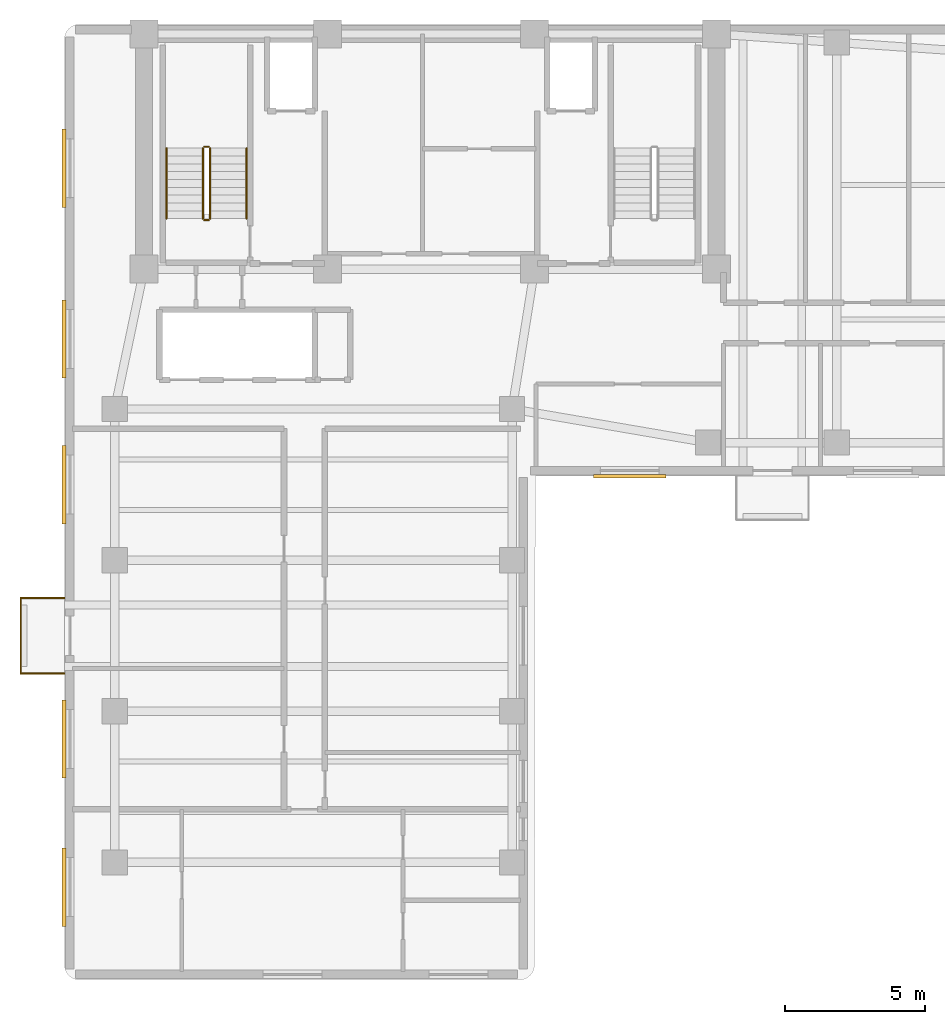
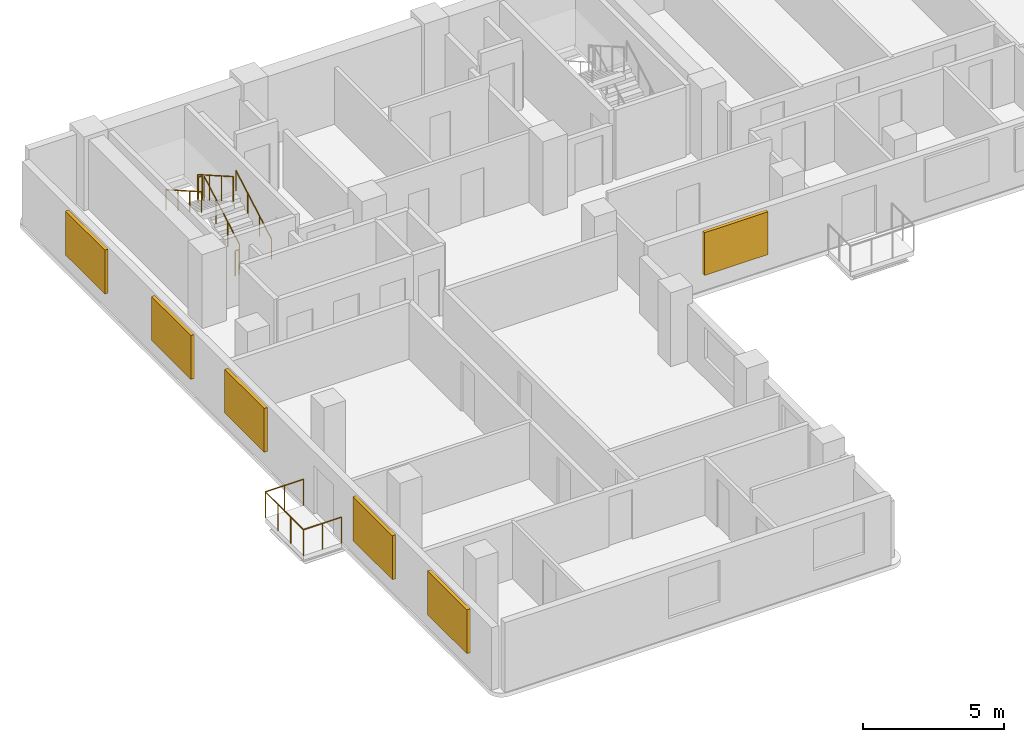
# One storey, part 6 of 7: 9 railings, 6 shading devices.
"""IFC4 building model written with IfcOpenShell, lengths in metres."""

from ifc_helpers import new_model, si_unit, direction, frame, origin, origin_2d, place, context, subcontext, project, spatial, rectangle, circle, extrude, material, layer, layer_set, type_object, element, save


model = new_model("IFC4")

# Units and contexts
model_context = context("Model", 3, precision=1e-05, world=origin(), true_north=direction((0.0, 1.0)))
body_context = subcontext(model_context, "Body", "Model", "MODEL_VIEW")
ifc_project = project(units=[si_unit("LENGTHUNIT", "METRE"), si_unit("AREAUNIT", "SQUARE_METRE"), si_unit("VOLUMEUNIT", "CUBIC_METRE"), si_unit("PLANEANGLEUNIT", "RADIAN"), si_unit("MASSUNIT", "GRAM", prefix="KILO")], contexts=[model_context])

# Site, building, storey
site_placement = place(None, origin())
site = spatial("IfcSite", under=ifc_project, at=site_placement, CompositionType="ELEMENT")
building_placement = place(site_placement, origin())
building = spatial("IfcBuilding", under=site, at=building_placement, Name="Kuzgunbayir Cultural Tower", CompositionType="ELEMENT")
storey_placement = place(building_placement, frame((0.0, 0.0, 172.800048828125)))
storey = spatial("IfcBuildingStorey", under=building, at=storey_placement, Name="L50", CompositionType="ELEMENT", Elevation=172.800048828125)

# Railings
ifc_material_1 = material(Name="Laminated Glass and Stainless Steel", Category="steel")
ifc_layer_1 = layer(ifc_material_1, 0.080078125)
ifc_layer_set_1 = layer_set([ifc_layer_1], Name="Laminated Glass and Stainless Steel")
railing_type_1 = type_object("IfcRailingType", Name="RLG-BAL-115", PredefinedType="BALUSTRADE", material=ifc_layer_set_1)
railing_1_placement = place(storey_placement, frame((3.60009765625, 19.35009765625, 0.0)))
element("IfcRailing", 1, at=railing_1_placement, inside=storey, type_object=railing_type_1, Name="L50 Balcony Guard BAL-L50-WA2 Segment 1", PredefinedType="BALUSTRADE", context=body_context, shape_type="SweptSolid", body=[
    extrude(circle(Radius=0.02392578125, at=origin_2d()), frame((0.0, 0.0, 1.1259765625), z_axis=(-1.0, 0.0, 0.0), x_axis=(0.0, -1.0, 0.0)), (0.0, 0.0, 1.0), 1.56005859375),
    extrude(circle(Radius=0.02099609375, at=origin_2d()), origin(), (0.0, 0.0, 1.0), 1.101806640625),
    extrude(circle(Radius=0.02099609375, at=origin_2d()), frame((-0.780029296875, 0.0, 0.0)), (0.0, 0.0, 1.0), 1.101806640625),
    extrude(circle(Radius=0.02099609375, at=origin_2d()), frame((-1.56005859375, 0.0, 0.0)), (0.0, 0.0, 1.0), 1.101806640625),
])
railing_2_placement = place(storey_placement, frame((2.0400390625, 19.35009765625, 0.0)))
element("IfcRailing", 2, at=railing_2_placement, inside=storey, type_object=railing_type_1, Name="L50 Balcony Guard BAL-L50-WA2 Segment 2", PredefinedType="BALUSTRADE", context=body_context, shape_type="SweptSolid", body=[
    extrude(circle(Radius=0.02392578125, at=origin_2d()), frame((0.0, 0.0, 1.1259765625), z_axis=(0.0, 1.0, 0.0), x_axis=(-1.0, 0.0, 0.0)), (0.0, 0.0, 1.0), 2.699951171875),
    extrude(circle(Radius=0.02099609375, at=origin_2d()), origin(), (0.0, 0.0, 1.0), 1.101806640625),
    extrude(circle(Radius=0.02099609375, at=origin_2d()), frame((0.0, 0.89990234375, 0.0)), (0.0, 0.0, 1.0), 1.101806640625),
    extrude(circle(Radius=0.02099609375, at=origin_2d()), frame((0.0, 1.800048828125, 0.0)), (0.0, 0.0, 1.0), 1.101806640625),
    extrude(circle(Radius=0.02099609375, at=origin_2d()), frame((0.0, 2.699951171875, 0.0)), (0.0, 0.0, 1.0), 1.101806640625),
])
railing_3_placement = place(storey_placement, frame((2.0400390625, 22.050048828125, 0.0)))
element("IfcRailing", 3, at=railing_3_placement, inside=storey, type_object=railing_type_1, Name="L50 Balcony Guard BAL-L50-WA2 Segment 3", PredefinedType="BALUSTRADE", context=body_context, shape_type="SweptSolid", body=[
    extrude(circle(Radius=0.02392578125, at=origin_2d()), frame((0.0, 0.0, 1.1259765625), z_axis=(1.0, 0.0, 0.0), x_axis=(0.0, 1.0, 0.0)), (0.0, 0.0, 1.0), 1.56005859375),
    extrude(circle(Radius=0.02099609375, at=origin_2d()), origin(), (0.0, 0.0, 1.0), 1.101806640625),
    extrude(circle(Radius=0.02099609375, at=origin_2d()), frame((0.780029296875, 0.0, 0.0)), (0.0, 0.0, 1.0), 1.101806640625),
    extrude(circle(Radius=0.02099609375, at=origin_2d()), frame((1.56005859375, 0.0, 0.0)), (0.0, 0.0, 1.0), 1.101806640625),
])
ifc_material_2 = material(Name="Brushed Stainless Steel", Category="steel")
ifc_layer_2 = layer(ifc_material_2, 0.050048828125)
ifc_layer_set_2 = layer_set([ifc_layer_2], Name="Brushed Stainless Steel")
railing_type_2 = type_object("IfcRailingType", Name="RLG-STAIR-HANDRAIL", PredefinedType="HANDRAIL", material=ifc_layer_set_2)
railing_4_placement = place(storey_placement, frame((10.110107421875, 35.60009765625, 0.159912109375)))
element("IfcRailing", 4, at=railing_4_placement, inside=storey, type_object=railing_type_2, Name="L50 ST-1 stair handrail 1", PredefinedType="HANDRAIL", context=body_context, shape_type="SweptSolid", body=[
    extrude(circle(Radius=0.02392578125, at=origin_2d()), frame((0.0, 0.0, 0.8759765625), z_axis=(0.0, 0.868253494771, 0.496120820787), x_axis=(-1.0, 0.0, 0.0)), (0.0, 0.0, 1.0), 2.90234375),
    extrude(circle(Radius=0.02099609375, at=origin_2d()), origin(), (0.0, 0.0, 1.0), 0.851806640625),
    extrude(circle(Radius=0.02099609375, at=origin_2d()), frame((0.0, 0.840087890625, 0.47998046875)), (0.0, 0.0, 1.0), 0.851806640625),
    extrude(circle(Radius=0.02099609375, at=origin_2d()), frame((0.0, 1.679931640625, 0.9599609375)), (0.0, 0.0, 1.0), 0.851806640625),
    extrude(circle(Radius=0.02099609375, at=origin_2d()), frame((0.0, 2.52001953125, 1.43994140625)), (0.0, 0.0, 1.0), 0.851806640625),
])
railing_5_placement = place(storey_placement, frame((7.25, 38.1201171875, 1.760009765625)))
element("IfcRailing", 5, at=railing_5_placement, inside=storey, type_object=railing_type_2, Name="L50 ST-1 stair handrail 2", PredefinedType="HANDRAIL", context=body_context, shape_type="SweptSolid", body=[
    extrude(circle(Radius=0.02392578125, at=origin_2d()), frame((0.0, 0.0, 0.8759765625), z_axis=(0.0, -0.868253494771, 0.496120820787), x_axis=(1.0, 0.0, 0.0)), (0.0, 0.0, 1.0), 2.90234375),
    extrude(circle(Radius=0.02099609375, at=origin_2d()), origin(), (0.0, 0.0, 1.0), 0.851806640625),
    extrude(circle(Radius=0.02099609375, at=origin_2d()), frame((0.0, -0.840087890625, 0.47998046875)), (0.0, 0.0, 1.0), 0.851806640625),
    extrude(circle(Radius=0.02099609375, at=origin_2d()), frame((0.0, -1.679931640625, 0.9599609375)), (0.0, 0.0, 1.0), 0.851806640625),
    extrude(circle(Radius=0.02099609375, at=origin_2d()), frame((0.0, -2.52001953125, 1.43994140625)), (0.0, 0.0, 1.0), 0.851806640625),
])
ifc_material_3 = material(Name="Painted Steel Balustrade", Category="steel")
ifc_layer_3 = layer(ifc_material_3, 0.06005859375)
ifc_layer_set_3 = layer_set([ifc_layer_3], Name="Painted Steel Balustrade")
railing_type_3 = type_object("IfcRailingType", Name="RLG-WELL-GUARD", PredefinedType="GUARDRAIL", material=ifc_layer_set_3)
railing_6_placement = place(storey_placement, frame((8.81005859375, 35.60009765625, 0.159912109375)))
element("IfcRailing", 6, at=railing_6_placement, inside=storey, type_object=railing_type_3, Name="L50 ST-1 stair guard 1", PredefinedType="GUARDRAIL", context=body_context, shape_type="SweptSolid", body=[
    extrude(circle(Radius=0.02392578125, at=origin_2d()), frame((0.0, 0.0, 1.076171875), z_axis=(0.0, 0.868253494771, 0.496120820787), x_axis=(-1.0, 0.0, 0.0)), (0.0, 0.0, 1.0), 2.90234375),
    extrude(circle(Radius=0.02099609375, at=origin_2d()), origin(), (0.0, 0.0, 1.0), 1.052001953125),
    extrude(circle(Radius=0.02099609375, at=origin_2d()), frame((0.0, 0.840087890625, 0.47998046875)), (0.0, 0.0, 1.0), 1.052001953125),
    extrude(circle(Radius=0.02099609375, at=origin_2d()), frame((0.0, 1.679931640625, 0.9599609375)), (0.0, 0.0, 1.0), 1.052001953125),
    extrude(circle(Radius=0.02099609375, at=origin_2d()), frame((0.0, 2.52001953125, 1.43994140625)), (0.0, 0.0, 1.0), 1.052001953125),
])
railing_7_placement = place(storey_placement, frame((8.760009765625, 38.169921875, 1.599853515625)))
element("IfcRailing", 7, at=railing_7_placement, inside=storey, type_object=railing_type_3, Name="L50 ST-1 stair guard 2", PredefinedType="GUARDRAIL", context=body_context, shape_type="SweptSolid", body=[
    extrude(circle(Radius=0.02392578125, at=origin_2d()), frame((0.0, 0.0, 1.076171875), z_axis=(-1.0, 0.0, 0.0), x_axis=(0.0, -1.0, 0.0)), (0.0, 0.0, 1.0), 0.159912109375),
    extrude(circle(Radius=0.02099609375, at=origin_2d()), origin(), (0.0, 0.0, 1.0), 1.052001953125),
    extrude(circle(Radius=0.02099609375, at=origin_2d()), frame((-0.159912109375, 0.0, 0.0)), (0.0, 0.0, 1.0), 1.052001953125),
])
railing_8_placement = place(storey_placement, frame((8.550048828125, 38.1201171875, 1.760009765625)))
element("IfcRailing", 8, at=railing_8_placement, inside=storey, type_object=railing_type_3, Name="L50 ST-1 stair guard 3", PredefinedType="GUARDRAIL", context=body_context, shape_type="SweptSolid", body=[
    extrude(circle(Radius=0.02392578125, at=origin_2d()), frame((0.0, 0.0, 1.076171875), z_axis=(0.0, -0.868253494771, 0.496120820787), x_axis=(1.0, 0.0, 0.0)), (0.0, 0.0, 1.0), 2.90234375),
    extrude(circle(Radius=0.02099609375, at=origin_2d()), origin(), (0.0, 0.0, 1.0), 1.052001953125),
    extrude(circle(Radius=0.02099609375, at=origin_2d()), frame((0.0, -0.840087890625, 0.47998046875)), (0.0, 0.0, 1.0), 1.052001953125),
    extrude(circle(Radius=0.02099609375, at=origin_2d()), frame((0.0, -1.679931640625, 0.9599609375)), (0.0, 0.0, 1.0), 1.052001953125),
    extrude(circle(Radius=0.02099609375, at=origin_2d()), frame((0.0, -2.52001953125, 1.43994140625)), (0.0, 0.0, 1.0), 1.052001953125),
])
railing_9_placement = place(storey_placement, frame((8.760009765625, 35.550048828125, 0.0)))
element("IfcRailing", 9, at=railing_9_placement, inside=storey, type_object=railing_type_3, Name="L50 ST-1 stair guard 4", PredefinedType="GUARDRAIL", context=body_context, shape_type="SweptSolid", body=[
    extrude(circle(Radius=0.02392578125, at=origin_2d()), frame((0.0, 0.0, 1.076171875), z_axis=(-1.0, 0.0, 0.0), x_axis=(0.0, -1.0, 0.0)), (0.0, 0.0, 1.0), 0.159912109375),
    extrude(circle(Radius=0.02099609375, at=origin_2d()), origin(), (0.0, 0.0, 1.0), 1.052001953125),
    extrude(circle(Radius=0.02099609375, at=origin_2d()), frame((-0.159912109375, 0.0, 0.0)), (0.0, 0.0, 1.0), 1.052001953125),
])

# Shading devices
ifc_material_4 = material(Name="Perforated Bronze-Anodised Aluminium", Category="aluminium")
shading_device_type = type_object("IfcShadingDeviceType", Name="SHD-SOLAR-BRONZE", PredefinedType="JALOUSIE", material=ifc_material_4)
shading_device_placement = place(storey_placement, frame((23.800048828125, 26.39990234375, 0.73486328125), z_axis=(0.0, 0.0, 1.0), x_axis=(1.0, 0.0, 0.0)))
element("IfcShadingDevice", 10, at=shading_device_placement, inside=storey, type_object=shading_device_type, Name="L50 Solar Screen WBS1", PredefinedType="JALOUSIE", context=body_context, shape_type="SweptSolid", body=[
    extrude(rectangle(XDim=2.60009765625, YDim=0.139892578125, at=origin_2d()), origin(), (0.0, 0.0, 1.0), 1.85009765625),
])
for number, where, z_axis, x_axis, name in (
    (11, (3.590087890625, 11.719970703125, 0.7099609375), (0.0, 0.0, 1.0), (1.0, 0.0, 0.0), "L50 Perforated Bronze Solar Screen WAW2"),
    (12, (3.590087890625, 17.010009765625, 0.7099609375), (0.0, 0.0, 1.0), (1.0, 0.0, 0.0), "L50 Perforated Bronze Solar Screen WAW6"),
    (13, (3.590087890625, 26.10009765625, 0.7099609375), (0.0, 0.0, 1.0), (1.0, 0.0, 0.0), "L50 Perforated Bronze Solar Screen WAW13"),
    (14, (3.590087890625, 31.300048828125, 0.7099609375), (0.0, 0.0, 1.0), (1.0, 0.0, 0.0), "L50 Perforated Bronze Solar Screen WAW14"),
    (15, (3.590087890625, 37.39990234375, 0.7099609375), (0.0, 0.0, 1.0), (1.0, 0.0, 0.0), "L50 Perforated Bronze Solar Screen WAW15"),
):
    element("IfcShadingDevice", number, at=place(storey_placement, frame(where, z_axis=z_axis, x_axis=x_axis)), inside=storey, type_object=shading_device_type, Name=name, PredefinedType="JALOUSIE", context=body_context, shape_type="SweptSolid", body=[
        extrude(rectangle(XDim=0.139892578125, YDim=2.800048828125, at=origin_2d()), origin(), (0.0, 0.0, 1.0), 1.89990234375),
    ])

save(model, "model.ifc")
